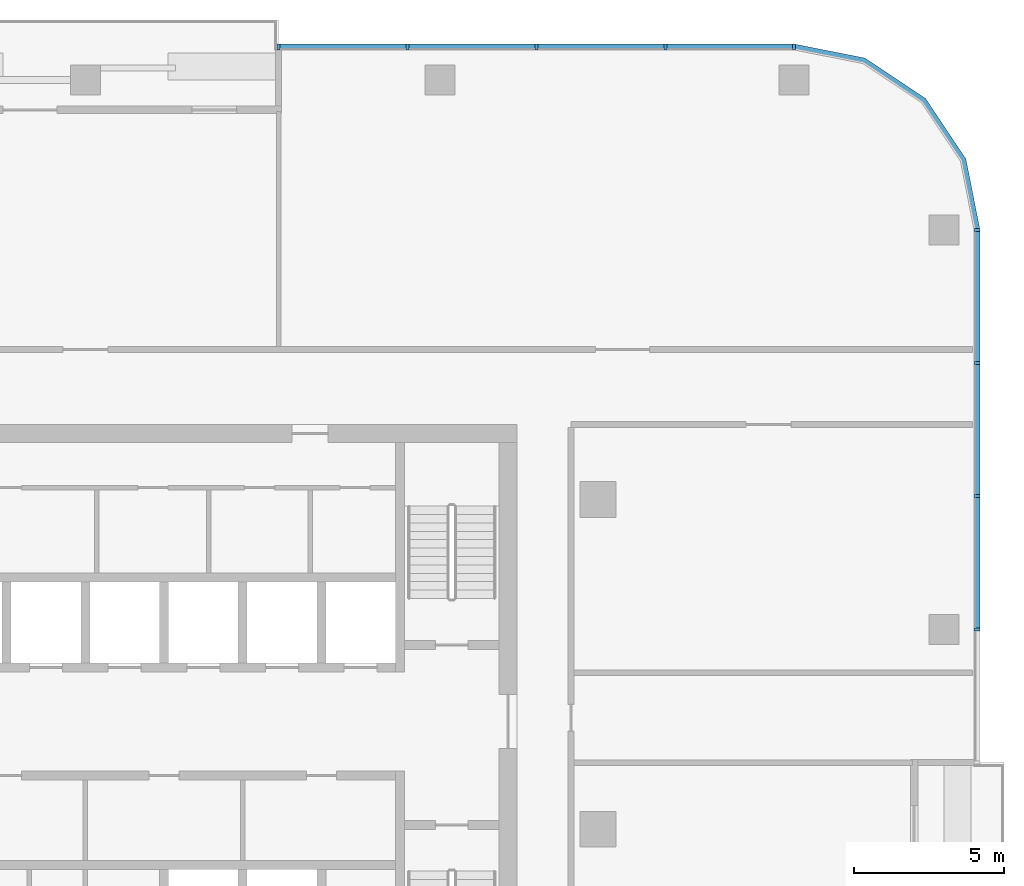
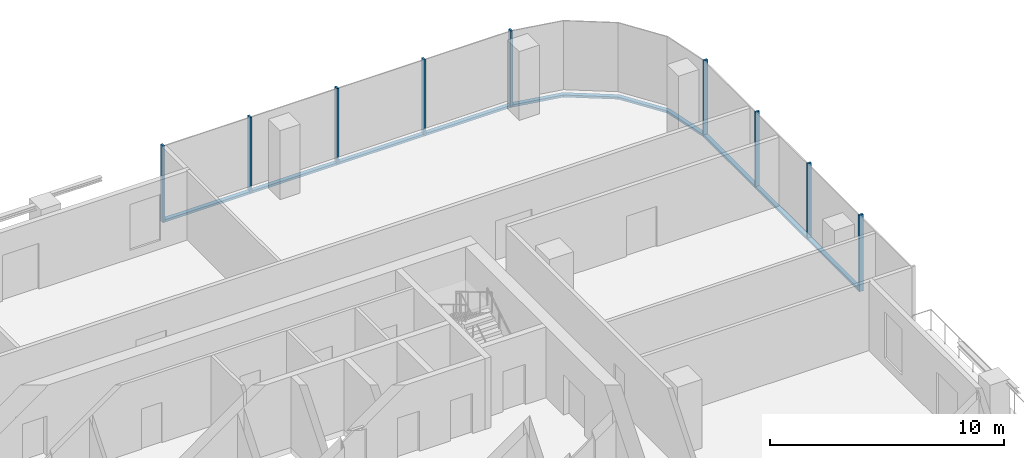
# One storey, part 5 of 13: 17 members, 3 elements without a shape of their own.
"""IFC4 building model written with IfcOpenShell, lengths in metres."""

from ifc_helpers import new_model, si_unit, direction, frame, origin, origin_2d, place, context, subcontext, project, spatial, polyline, rectangle, outline, extrude, material, material_profile, profile_set, type_object, element, aggregate, save


model = new_model("IFC4")

# Units and contexts
model_context = context("Model", 3, precision=1e-05, world=origin(), true_north=direction((0.0, 1.0)))
body_context = subcontext(model_context, "Body", "Model", "MODEL_VIEW")
ifc_project = project(units=[si_unit("LENGTHUNIT", "METRE"), si_unit("AREAUNIT", "SQUARE_METRE"), si_unit("VOLUMEUNIT", "CUBIC_METRE"), si_unit("PLANEANGLEUNIT", "RADIAN"), si_unit("MASSUNIT", "GRAM", prefix="KILO")], contexts=[model_context])

# Site, building, storey
site_placement = place(None, origin())
site = spatial("IfcSite", under=ifc_project, at=site_placement, CompositionType="ELEMENT")
building_placement = place(site_placement, origin())
building = spatial("IfcBuilding", under=site, at=building_placement, Name="Mopane Tessera Tower", CompositionType="ELEMENT")
storey_placement = place(building_placement, frame((0.0, 0.0, 271.39990234375)))
storey = spatial("IfcBuildingStorey", under=building, at=storey_placement, Name="L58", CompositionType="ELEMENT", Elevation=271.39990234375)

# Curtain wall, members
ifc_material_1 = material(Name="Aluminium frame", Category="aluminium")
curtain_wall_type = type_object("IfcCurtainWallType", Name="Unitised curtain wall", PredefinedType="NOTDEFINED", material=ifc_material_1)
curtain_wall_1_placement = place(storey_placement, origin())
curtain_wall_1 = element("IfcCurtainWall", 1, at=curtain_wall_1_placement, inside=storey, type_object=curtain_wall_type, Name="e:cw:L58:E:5", PredefinedType="NOTDEFINED")
ifc_material_2 = material(Name="Aluminium frame", Category="aluminium")
ifc_material_profile_1 = material_profile(ifc_material_2, rectangle(XDim=0.10009765625, YDim=0.199951171875, at=origin_2d()))
ifc_profile_set_1 = profile_set([ifc_material_profile_1], Name="Aluminium frame")
member_type_1 = type_object("IfcMemberType", Name="Aluminium mullion 100 x 200", PredefinedType="MULLION", material=ifc_profile_set_1)
member_1_placement = place(storey_placement, frame((29.75, 6.666748046875, -0.39990234375), z_axis=(0.0, 0.0, 1.0), x_axis=(0.0, 1.0, 0.0)))
member_1 = element("IfcMember", 2, at=member_1_placement, type_object=member_type_1, Name="e:cw:L58:E:5:mu6", PredefinedType="MULLION", context=body_context, shape_type="SweptSolid", body=[
    extrude(rectangle(XDim=0.10009765625, YDim=0.199951171875, at=origin_2d()), origin(), (0.0, 0.0, 1.0), 4.0),
])
member_2_placement = place(storey_placement, frame((29.75, 11.111083984375, -0.39990234375), z_axis=(0.0, 0.0, 1.0), x_axis=(0.0, 1.0, 0.0)))
member_2 = element("IfcMember", 3, at=member_2_placement, type_object=member_type_1, Name="e:cw:L58:E:5:mu7", PredefinedType="MULLION", context=body_context, shape_type="SweptSolid", body=[
    extrude(rectangle(XDim=0.10009765625, YDim=0.199951171875, at=origin_2d()), origin(), (0.0, 0.0, 1.0), 4.0),
])
member_3_placement = place(storey_placement, frame((29.75, 15.5556640625, -0.39990234375), z_axis=(0.0, 0.0, 1.0), x_axis=(0.0, 1.0, 0.0)))
member_3 = element("IfcMember", 4, at=member_3_placement, type_object=member_type_1, Name="e:cw:L58:E:5:mu8", PredefinedType="MULLION", context=body_context, shape_type="SweptSolid", body=[
    extrude(rectangle(XDim=0.10009765625, YDim=0.199951171875, at=origin_2d()), origin(), (0.0, 0.0, 1.0), 4.0),
])
member_4_placement = place(storey_placement, frame((29.75, 20.0, -0.39990234375), z_axis=(0.0, 0.0, 1.0), x_axis=(0.0, 1.0, 0.0)))
member_4 = element("IfcMember", 5, at=member_4_placement, type_object=member_type_1, Name="e:cw:L58:E:5:mu9", PredefinedType="MULLION", context=body_context, shape_type="SweptSolid", body=[
    extrude(rectangle(XDim=0.10009765625, YDim=0.199951171875, at=origin_2d()), origin(), (0.0, 0.0, 1.0), 4.0),
])

curtain_wall_2_placement = place(storey_placement, origin())
curtain_wall_2 = element("IfcCurtainWall", 6, at=curtain_wall_2_placement, inside=storey, type_object=curtain_wall_type, Name="e:cw:L58:N:0", PredefinedType="NOTDEFINED")
member_5_placement = place(storey_placement, frame((23.64990234375, 26.10009765625, -0.39990234375), z_axis=(0.0, 0.0, 1.0), x_axis=(-1.0, 0.0, 0.0)))
member_5 = element("IfcMember", 7, at=member_5_placement, type_object=member_type_1, Name="e:cw:L58:N:0:mu0", PredefinedType="MULLION", context=body_context, shape_type="SweptSolid", body=[
    extrude(rectangle(XDim=0.10009765625, YDim=0.199951171875, at=origin_2d()), origin(), (0.0, 0.0, 1.0), 4.0),
])
member_6_placement = place(storey_placement, frame((19.35009765625, 26.10009765625, -0.39990234375), z_axis=(0.0, 0.0, 1.0), x_axis=(-1.0, 0.0, 0.0)))
member_6 = element("IfcMember", 8, at=member_6_placement, type_object=member_type_1, Name="e:cw:L58:N:0:mu1", PredefinedType="MULLION", context=body_context, shape_type="SweptSolid", body=[
    extrude(rectangle(XDim=0.10009765625, YDim=0.199951171875, at=origin_2d()), origin(), (0.0, 0.0, 1.0), 4.0),
])
member_7_placement = place(storey_placement, frame((15.050048828125, 26.10009765625, -0.39990234375), z_axis=(0.0, 0.0, 1.0), x_axis=(-1.0, 0.0, 0.0)))
member_7 = element("IfcMember", 9, at=member_7_placement, type_object=member_type_1, Name="e:cw:L58:N:0:mu2", PredefinedType="MULLION", context=body_context, shape_type="SweptSolid", body=[
    extrude(rectangle(XDim=0.10009765625, YDim=0.199951171875, at=origin_2d()), origin(), (0.0, 0.0, 1.0), 4.0),
])
member_8_placement = place(storey_placement, frame((10.75, 26.10009765625, -0.39990234375), z_axis=(0.0, 0.0, 1.0), x_axis=(-1.0, 0.0, 0.0)))
member_8 = element("IfcMember", 10, at=member_8_placement, type_object=member_type_1, Name="e:cw:L58:N:0:mu3", PredefinedType="MULLION", context=body_context, shape_type="SweptSolid", body=[
    extrude(rectangle(XDim=0.10009765625, YDim=0.199951171875, at=origin_2d()), origin(), (0.0, 0.0, 1.0), 4.0),
])
member_9_placement = place(storey_placement, frame((6.449951171875, 26.10009765625, -0.39990234375), z_axis=(0.0, 0.0, 1.0), x_axis=(-1.0, 0.0, 0.0)))
member_9 = element("IfcMember", 11, at=member_9_placement, type_object=member_type_1, Name="e:cw:L58:N:0:mu4", PredefinedType="MULLION", context=body_context, shape_type="SweptSolid", body=[
    extrude(rectangle(XDim=0.10009765625, YDim=0.199951171875, at=origin_2d()), origin(), (0.0, 0.0, 1.0), 4.0),
])

# Member
ifc_material_3 = material(Name="Aluminium frame", Category="aluminium")
ifc_material_profile_2 = material_profile(ifc_material_3, rectangle(XDim=0.199951171875, YDim=0.1201171875, at=origin_2d()))
ifc_profile_set_2 = profile_set([ifc_material_profile_2], Name="Aluminium frame")
member_type_2 = type_object("IfcMemberType", Name="Aluminium transom 200 x 120", PredefinedType="USERDEFINED", material=ifc_profile_set_2)
member_10_placement = place(storey_placement, frame((29.75, 6.716552734375, -0.33984375), z_axis=(0.0, 1.0, 0.0), x_axis=(-1.0, 0.0, 0.0)))
member_10 = element("IfcMember", 12, at=member_10_placement, type_object=member_type_2, Name="e:cw:L58:E:5:tr6", ObjectType="TRANSOM", PredefinedType="USERDEFINED", context=body_context, shape_type="SweptSolid", body=[
    extrude(rectangle(XDim=0.199951171875, YDim=0.1201171875, at=origin_2d()), origin(), (0.0, 0.0, 1.0), 4.344482421875),
])

member_11_placement = place(storey_placement, frame((29.75, 11.1611328125, -0.33984375), z_axis=(0.0, 1.0, 0.0), x_axis=(-1.0, 0.0, 0.0)))
member_11 = element("IfcMember", 13, at=member_11_placement, type_object=member_type_2, Name="e:cw:L58:E:5:tr7", ObjectType="TRANSOM", PredefinedType="USERDEFINED", context=body_context, shape_type="SweptSolid", body=[
    extrude(rectangle(XDim=0.199951171875, YDim=0.1201171875, at=origin_2d()), origin(), (0.0, 0.0, 1.0), 4.344482421875),
])

member_12_placement = place(storey_placement, frame((29.75, 15.60546875, -0.33984375), z_axis=(0.0, 1.0, 0.0), x_axis=(-1.0, 0.0, 0.0)))
member_12 = element("IfcMember", 14, at=member_12_placement, type_object=member_type_2, Name="e:cw:L58:E:5:tr8", ObjectType="TRANSOM", PredefinedType="USERDEFINED", context=body_context, shape_type="SweptSolid", body=[
    extrude(rectangle(XDim=0.199951171875, YDim=0.1201171875, at=origin_2d()), origin(), (0.0, 0.0, 1.0), 4.344482421875),
])

aggregate(curtain_wall_1, [member_1, member_2, member_3, member_4, member_10, member_11, member_12])

# Curtain wall, member
curtain_wall_3_placement = place(storey_placement, origin())
curtain_wall_3 = element("IfcCurtainWall", 15, at=curtain_wall_3_placement, inside=storey, type_object=curtain_wall_type, Name="e:cw:L58:CE", PredefinedType="NOTDEFINED")
member_13_placement = place(storey_placement, frame((0.0, 0.0, -0.39990234375)))
member_13 = element("IfcMember", 16, at=member_13_placement, type_object=member_type_2, Name="e:cw:L58:CE:tr", ObjectType="TRANSOM", PredefinedType="USERDEFINED", context=body_context, shape_type="SweptSolid", body=[
    extrude(outline(polyline([(29.64990234375, 20.0), (29.193359375, 22.296142578125), (27.892578125, 24.24267578125), (25.946044921875, 25.543212890625), (23.64990234375, 26.0), (23.64990234375, 26.199951171875), (26.022705078125, 25.72802734375), (28.0341796875, 24.384033203125), (29.378173828125, 22.37255859375), (29.85009765625, 20.0), (29.64990234375, 20.0)])), origin(), (0.0, 0.0, 1.0), 0.1201171875),
])
aggregate(curtain_wall_3, [member_13])

# Member
member_14_placement = place(storey_placement, frame((23.60009765625, 26.10009765625, -0.33984375), z_axis=(-1.0, 0.0, 0.0), x_axis=(0.0, -1.0, 0.0)))
member_14 = element("IfcMember", 17, at=member_14_placement, type_object=member_type_2, Name="e:cw:L58:N:0:tr0", ObjectType="TRANSOM", PredefinedType="USERDEFINED", context=body_context, shape_type="SweptSolid", body=[
    extrude(rectangle(XDim=0.199951171875, YDim=0.1201171875, at=origin_2d()), origin(), (0.0, 0.0, 1.0), 4.2001953125),
])

member_15_placement = place(storey_placement, frame((19.300048828125, 26.10009765625, -0.33984375), z_axis=(-1.0, 0.0, 0.0), x_axis=(0.0, -1.0, 0.0)))
member_15 = element("IfcMember", 18, at=member_15_placement, type_object=member_type_2, Name="e:cw:L58:N:0:tr1", ObjectType="TRANSOM", PredefinedType="USERDEFINED", context=body_context, shape_type="SweptSolid", body=[
    extrude(rectangle(XDim=0.199951171875, YDim=0.1201171875, at=origin_2d()), origin(), (0.0, 0.0, 1.0), 4.199951171875),
])

member_16_placement = place(storey_placement, frame((15.0, 26.10009765625, -0.33984375), z_axis=(-1.0, 0.0, 0.0), x_axis=(0.0, -1.0, 0.0)))
member_16 = element("IfcMember", 19, at=member_16_placement, type_object=member_type_2, Name="e:cw:L58:N:0:tr2", ObjectType="TRANSOM", PredefinedType="USERDEFINED", context=body_context, shape_type="SweptSolid", body=[
    extrude(rectangle(XDim=0.199951171875, YDim=0.1201171875, at=origin_2d()), origin(), (0.0, 0.0, 1.0), 4.199951171875),
])

member_17_placement = place(storey_placement, frame((10.699951171875, 26.10009765625, -0.33984375), z_axis=(-1.0, 0.0, 0.0), x_axis=(0.0, -1.0, 0.0)))
member_17 = element("IfcMember", 20, at=member_17_placement, type_object=member_type_2, Name="e:cw:L58:N:0:tr3", ObjectType="TRANSOM", PredefinedType="USERDEFINED", context=body_context, shape_type="SweptSolid", body=[
    extrude(rectangle(XDim=0.199951171875, YDim=0.1201171875, at=origin_2d()), origin(), (0.0, 0.0, 1.0), 4.199951171875),
])

aggregate(curtain_wall_2, [member_5, member_6, member_7, member_8, member_9, member_14, member_15, member_16, member_17])

save(model, "model.ifc")
